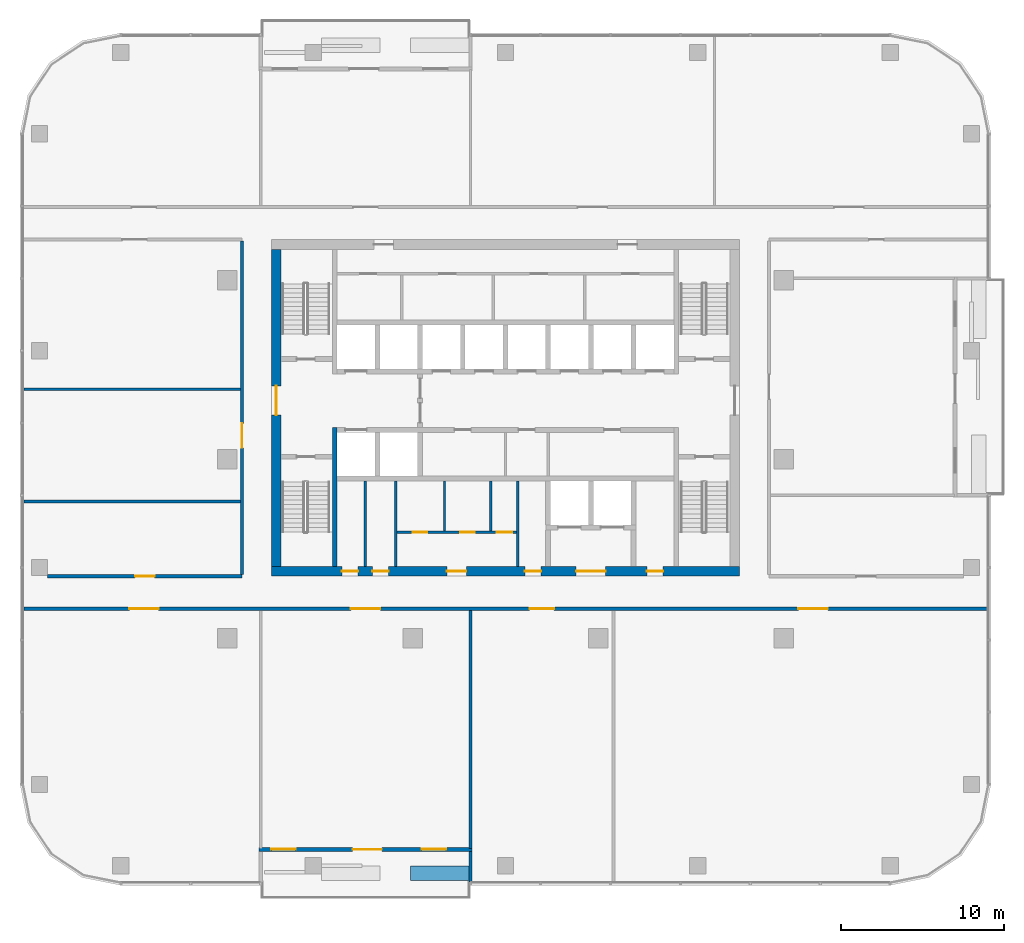
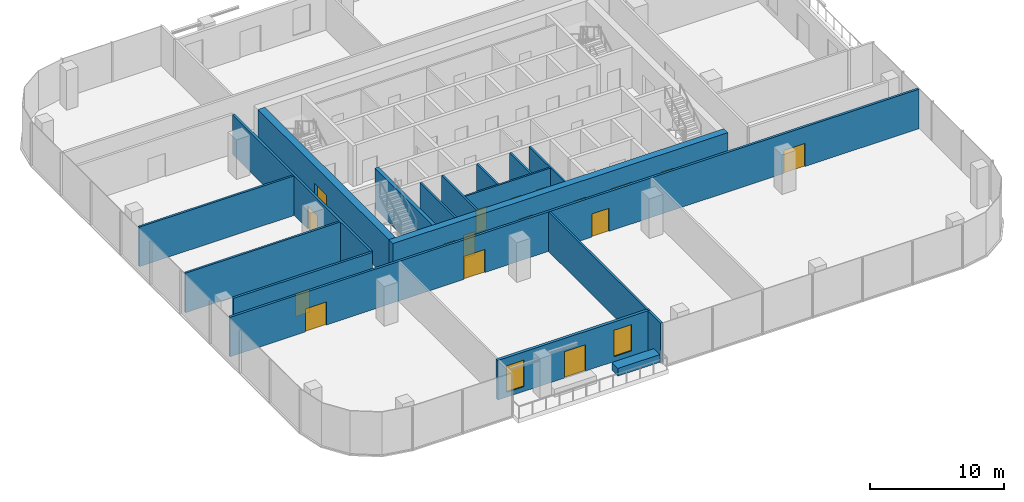
# One storey, part 7 of 13: 18 walls, 17 doors, 2 windows, 19 openings.
"""IFC4 building model written with IfcOpenShell, lengths in metres."""

from ifc_helpers import new_model, si_unit, direction, frame, frame_2d, origin, place, context, subcontext, project, spatial, rectangle, extrude, material, layer, layer_set, type_object, element, fill, save


model = new_model("IFC4")

# Units and contexts
model_context = context("Model", 3, precision=1e-05, world=origin(), true_north=direction((0.0, 1.0)))
body_context = subcontext(model_context, "Body", "Model", "MODEL_VIEW")
ifc_project = project(units=[si_unit("LENGTHUNIT", "METRE"), si_unit("AREAUNIT", "SQUARE_METRE"), si_unit("VOLUMEUNIT", "CUBIC_METRE"), si_unit("PLANEANGLEUNIT", "RADIAN"), si_unit("MASSUNIT", "GRAM", prefix="KILO")], contexts=[model_context])

# Site, building, storey
site_placement = place(None, origin())
site = spatial("IfcSite", under=ifc_project, at=site_placement, CompositionType="ELEMENT")
building_placement = place(site_placement, origin())
building = spatial("IfcBuilding", under=site, at=building_placement, Name="Mopane Tessera Tower", CompositionType="ELEMENT")
storey_placement = place(building_placement, frame((0.0, 0.0, 307.39990234375)))
storey = spatial("IfcBuildingStorey", under=building, at=storey_placement, Name="L67", CompositionType="ELEMENT", Elevation=307.39990234375)

# Walls
ifc_material_1 = material(Name="Fire-rated gypsum board partition")
ifc_layer_1 = layer(ifc_material_1, 0.14990234375)
ifc_layer_set_1 = layer_set([ifc_layer_1], Name="Fire-rated gypsum board partition")
wall_type_1 = type_object("IfcWallType", Name="Core room partition 150 mm", PredefinedType="PARTITIONING", material=ifc_layer_set_1)
for number, where, z_axis, x_axis, name in (
    (1, (-8.625, -6.60009765625, 0.0), (0.0, 0.0, 1.0), (0.0, 1.0, 0.0), "L67 Room partition"),
    (2, (-6.75, -6.60009765625, 0.0), (0.0, 0.0, 1.0), (0.0, 1.0, 0.0), "L67 Room partition"),
):
    element("IfcWall", number, at=place(storey_placement, frame(where, z_axis=z_axis, x_axis=x_axis)), inside=storey, type_object=wall_type_1, Name=name, PredefinedType="PARTITIONING", context=body_context, shape_type="SweptSolid", body=[
        extrude(rectangle(XDim=5.25, YDim=0.14990234375, at=frame_2d((2.625, 0.0))), origin(), (0.0, 0.0, 1.0), 3.7001953125),
    ])

# Wall, openings, doors
wall_1_placement = place(storey_placement, frame((-6.675048828125, -4.5, 0.0), z_axis=(0.0, 0.0, 1.0), x_axis=(1.0, 0.0, 0.0)))
wall_1 = element("IfcWall", 3, at=wall_1_placement, inside=storey, type_object=wall_type_1, Name="L67 WC partition", PredefinedType="PARTITIONING", context=body_context, shape_type="SweptSolid", body=[
    extrude(rectangle(XDim=7.35009765625, YDim=0.14990234375, at=frame_2d((3.675048828125, 0.0))), origin(), (0.0, 0.0, 1.0), 3.7001953125),
])
opening_1_placement = place(wall_1_placement, frame((0.97509765625, 0.0, 0.0)))
opening_1 = element("IfcOpeningElement", 4, at=opening_1_placement, cuts=wall_1, Name="Opening WD1", PredefinedType="OPENING", context=body_context, shape_type="SweptSolid", body=[
    extrude(rectangle(XDim=0.89990234375, YDim=2.10009765625, at=frame_2d((0.449951171875, 1.050048828125))), frame((0.0, 0.0869140625, 0.0), z_axis=(0.0, -1.0, 0.0), x_axis=(1.0, 0.0, 0.0)), (0.0, 0.0, 1.0), 0.173828125),
])
opening_2_placement = place(wall_1_placement, frame((3.89990234375, 0.0, 0.0)))
opening_2 = element("IfcOpeningElement", 5, at=opening_2_placement, cuts=wall_1, Name="Opening WD1", PredefinedType="OPENING", context=body_context, shape_type="SweptSolid", body=[
    extrude(rectangle(XDim=0.89990234375, YDim=2.10009765625, at=frame_2d((0.449951171875, 1.050048828125))), frame((0.0, 0.0869140625, 0.0), z_axis=(0.0, -1.0, 0.0), x_axis=(1.0, 0.0, 0.0)), (0.0, 0.0, 1.0), 0.173828125),
])
opening_3_placement = place(wall_1_placement, frame((6.125, 0.0, 0.0)))
opening_3 = element("IfcOpeningElement", 6, at=opening_3_placement, cuts=wall_1, Name="Opening WD2", PredefinedType="OPENING", context=body_context, shape_type="SweptSolid", body=[
    extrude(rectangle(XDim=0.949951171875, YDim=2.10009765625, at=frame_2d((0.47509765625, 1.050048828125))), frame((0.0, 0.0869140625, 0.0), z_axis=(0.0, -1.0, 0.0), x_axis=(1.0, 0.0, 0.0)), (0.0, 0.0, 1.0), 0.173828125),
])
ifc_material_2 = material(Name="Timber door", Category="wood")
door_type_1 = type_object("IfcDoorType", Name="Accessible WC door 950 x 2100", OperationType="SINGLE_SWING_LEFT", PredefinedType="DOOR", material=ifc_material_2)
door_1_placement = place(opening_3_placement, origin())
door_1 = element("IfcDoor", 7, at=door_1_placement, inside=storey, type_object=door_type_1, Name="L67 Accessible WC door", OperationType="SINGLE_SWING_LEFT", OverallHeight=2.10009765625, OverallWidth=0.949951171875, PredefinedType="DOOR", context=body_context, shape_type="SweptSolid", body=[
    extrude(rectangle(XDim=0.949951171875, YDim=2.10009765625, at=frame_2d((0.47509765625, 1.050048828125))), frame((0.0, 0.02490234375, 0.0), z_axis=(0.0, -1.0, 0.0), x_axis=(1.0, 0.0, 0.0)), (0.0, 0.0, 1.0), 0.050048828125),
])
fill(opening_3, door_1)
ifc_material_3 = material(Name="Timber door", Category="wood")
door_type_2 = type_object("IfcDoorType", Name="WC cubicle door 900 x 2100", OperationType="SINGLE_SWING_LEFT", PredefinedType="DOOR", material=ifc_material_3)
door_2_placement = place(opening_1_placement, origin())
door_2 = element("IfcDoor", 8, at=door_2_placement, inside=storey, type_object=door_type_2, Name="L67 Men's WC door", OperationType="SINGLE_SWING_LEFT", OverallHeight=2.10009765625, OverallWidth=0.89990234375, PredefinedType="DOOR", context=body_context, shape_type="SweptSolid", body=[
    extrude(rectangle(XDim=0.89990234375, YDim=2.10009765625, at=frame_2d((0.449951171875, 1.050048828125))), frame((0.0, 0.02490234375, 0.0), z_axis=(0.0, -1.0, 0.0), x_axis=(1.0, 0.0, 0.0)), (0.0, 0.0, 1.0), 0.050048828125),
])
fill(opening_1, door_2)
door_3_placement = place(opening_2_placement, origin())
door_3 = element("IfcDoor", 9, at=door_3_placement, inside=storey, type_object=door_type_2, Name="L67 Women's WC door", OperationType="SINGLE_SWING_LEFT", OverallHeight=2.10009765625, OverallWidth=0.89990234375, PredefinedType="DOOR", context=body_context, shape_type="SweptSolid", body=[
    extrude(rectangle(XDim=0.89990234375, YDim=2.10009765625, at=frame_2d((0.449951171875, 1.050048828125))), frame((0.0, 0.02490234375, 0.0), z_axis=(0.0, -1.0, 0.0), x_axis=(1.0, 0.0, 0.0)), (0.0, 0.0, 1.0), 0.050048828125),
])
fill(opening_2, door_3)

# Walls
for number, where, z_axis, x_axis, name in (
    (10, (-3.75, -4.425048828125, 0.0), (0.0, 0.0, 1.0), (0.0, 1.0, 0.0), "L67 WC partition"),
    (11, (-0.89990234375, -4.425048828125, 0.0), (0.0, 0.0, 1.0), (0.0, 1.0, 0.0), "L67 WC partition"),
):
    element("IfcWall", number, at=place(storey_placement, frame(where, z_axis=z_axis, x_axis=x_axis)), inside=storey, type_object=wall_type_1, Name=name, PredefinedType="PARTITIONING", context=body_context, shape_type="SweptSolid", body=[
        extrude(rectangle(XDim=3.074951171875, YDim=0.14990234375, at=frame_2d((1.53759765625, 0.0))), origin(), (0.0, 0.0, 1.0), 3.7001953125),
    ])
wall_2_placement = place(storey_placement, frame((0.75, -6.60009765625, 0.0), z_axis=(0.0, 0.0, 1.0), x_axis=(0.0, 1.0, 0.0)))
element("IfcWall", 12, at=wall_2_placement, inside=storey, type_object=wall_type_1, Name="L67 Room partition", PredefinedType="PARTITIONING", context=body_context, shape_type="SweptSolid", body=[
    extrude(rectangle(XDim=5.25, YDim=0.14990234375, at=frame_2d((2.625, 0.0))), origin(), (0.0, 0.0, 1.0), 3.7001953125),
])

# Wall, openings, doors
ifc_material_4 = material(Name="Concrete C70/85", Category="concrete")
ifc_layer_2 = layer(ifc_material_4, 0.60009765625)
ifc_layer_set_2 = layer_set([ifc_layer_2], Name="Concrete C70/85")
wall_type_2 = type_object("IfcWallType", Name="Core shear wall 600 mm", PredefinedType="SHEAR", material=ifc_layer_set_2)
wall_3_placement = place(storey_placement, frame((-14.39990234375, -6.89990234375, 0.0), z_axis=(0.0, 0.0, 1.0), x_axis=(1.0, 0.0, 0.0)))
wall_3 = element("IfcWall", 13, at=wall_3_placement, inside=storey, type_object=wall_type_2, Name="L67 Core wall south", PredefinedType="SHEAR", context=body_context, shape_type="SweptSolid", body=[
    extrude(rectangle(XDim=28.7998046875, YDim=0.60009765625, at=frame_2d((14.39990234375, 0.0))), origin(), (0.0, 0.0, 1.0), 3.7001953125),
])
opening_4_placement = place(wall_3_placement, frame((4.33740234375, 0.0, 0.0)))
opening_4 = element("IfcOpeningElement", 14, at=opening_4_placement, cuts=wall_3, Name="Opening RD1", PredefinedType="OPENING", context=body_context, shape_type="SweptSolid", body=[
    extrude(rectangle(XDim=1.0, YDim=2.10009765625, at=frame_2d((0.5, 1.050048828125))), frame((0.0, 0.31201171875, 0.0), z_axis=(0.0, -1.0, 0.0), x_axis=(1.0, 0.0, 0.0)), (0.0, 0.0, 1.0), 0.6240234375),
])
opening_5_placement = place(wall_3_placement, frame((6.21240234375, 0.0, 0.0)))
opening_5 = element("IfcOpeningElement", 15, at=opening_5_placement, cuts=wall_3, Name="Opening RD1", PredefinedType="OPENING", context=body_context, shape_type="SweptSolid", body=[
    extrude(rectangle(XDim=1.0, YDim=2.10009765625, at=frame_2d((0.5, 1.050048828125))), frame((0.0, 0.31201171875, 0.0), z_axis=(0.0, -1.0, 0.0), x_axis=(1.0, 0.0, 0.0)), (0.0, 0.0, 1.0), 0.6240234375),
])
opening_6_placement = place(wall_3_placement, frame((10.800048828125, 0.0, 0.0)))
opening_6 = element("IfcOpeningElement", 16, at=opening_6_placement, cuts=wall_3, Name="Opening WD3", PredefinedType="OPENING", context=body_context, shape_type="SweptSolid", body=[
    extrude(rectangle(XDim=1.199951171875, YDim=2.10009765625, at=frame_2d((0.60009765625, 1.050048828125))), frame((0.0, 0.31201171875, 0.0), z_axis=(0.0, -1.0, 0.0), x_axis=(1.0, 0.0, 0.0)), (0.0, 0.0, 1.0), 0.6240234375),
])
opening_7_placement = place(wall_3_placement, frame((15.58740234375, 0.0, 0.0)))
opening_7 = element("IfcOpeningElement", 17, at=opening_7_placement, cuts=wall_3, Name="Opening RD1", PredefinedType="OPENING", context=body_context, shape_type="SweptSolid", body=[
    extrude(rectangle(XDim=1.0, YDim=2.10009765625, at=frame_2d((0.5, 1.050048828125))), frame((0.0, 0.31201171875, 0.0), z_axis=(0.0, -1.0, 0.0), x_axis=(1.0, 0.0, 0.0)), (0.0, 0.0, 1.0), 0.6240234375),
])
opening_8_placement = place(wall_3_placement, frame((18.75, 0.0, 0.0)))
opening_8 = element("IfcOpeningElement", 18, at=opening_8_placement, cuts=wall_3, Name="Opening SD2", PredefinedType="OPENING", context=body_context, shape_type="SweptSolid", body=[
    extrude(rectangle(XDim=1.800048828125, YDim=2.10009765625, at=frame_2d((0.89990234375, 1.050048828125))), frame((0.0, 0.31201171875, 0.0), z_axis=(0.0, -1.0, 0.0), x_axis=(1.0, 0.0, 0.0)), (0.0, 0.0, 1.0), 0.6240234375),
])
opening_9_placement = place(wall_3_placement, frame((23.08740234375, 0.0, 0.0)))
opening_9 = element("IfcOpeningElement", 19, at=opening_9_placement, cuts=wall_3, Name="Opening RD1", PredefinedType="OPENING", context=body_context, shape_type="SweptSolid", body=[
    extrude(rectangle(XDim=1.0, YDim=2.10009765625, at=frame_2d((0.5, 1.050048828125))), frame((0.0, 0.31201171875, 0.0), z_axis=(0.0, -1.0, 0.0), x_axis=(1.0, 0.0, 0.0)), (0.0, 0.0, 1.0), 0.6240234375),
])
ifc_material_5 = material(Name="Steel fire door", Category="steel")
door_type_3 = type_object("IfcDoorType", Name="Core entrance double door 1800 x 2100", OperationType="DOUBLE_DOOR_SINGLE_SWING", PredefinedType="DOOR", material=ifc_material_5)
door_4_placement = place(opening_8_placement, origin())
door_4 = element("IfcDoor", 20, at=door_4_placement, inside=storey, type_object=door_type_3, Name="L67 Service lobby door", OperationType="DOUBLE_DOOR_SINGLE_SWING", OverallHeight=2.10009765625, OverallWidth=1.800048828125, PredefinedType="DOOR", context=body_context, shape_type="SweptSolid", body=[
    extrude(rectangle(XDim=1.800048828125, YDim=2.10009765625, at=frame_2d((0.89990234375, 1.050048828125))), frame((0.0, 0.02490234375, 0.0), z_axis=(0.0, -1.0, 0.0), x_axis=(1.0, 0.0, 0.0)), (0.0, 0.0, 1.0), 0.050048828125),
])
fill(opening_8, door_4)
ifc_material_6 = material(Name="Timber door", Category="wood")
door_type_4 = type_object("IfcDoorType", Name="Core room door 1000 x 2100", OperationType="SINGLE_SWING_LEFT", PredefinedType="DOOR", material=ifc_material_6)
door_5_placement = place(opening_4_placement, origin())
door_5 = element("IfcDoor", 21, at=door_5_placement, inside=storey, type_object=door_type_4, Name="L67 Room door", OperationType="SINGLE_SWING_LEFT", OverallHeight=2.10009765625, OverallWidth=1.0, PredefinedType="DOOR", context=body_context, shape_type="SweptSolid", body=[
    extrude(rectangle(XDim=1.0, YDim=2.10009765625, at=frame_2d((0.5, 1.050048828125))), frame((0.0, 0.02490234375, 0.0), z_axis=(0.0, -1.0, 0.0), x_axis=(1.0, 0.0, 0.0)), (0.0, 0.0, 1.0), 0.050048828125),
])
fill(opening_4, door_5)
door_6_placement = place(opening_5_placement, origin())
door_6 = element("IfcDoor", 22, at=door_6_placement, inside=storey, type_object=door_type_4, Name="L67 Room door", OperationType="SINGLE_SWING_LEFT", OverallHeight=2.10009765625, OverallWidth=1.0, PredefinedType="DOOR", context=body_context, shape_type="SweptSolid", body=[
    extrude(rectangle(XDim=1.0, YDim=2.10009765625, at=frame_2d((0.5, 1.050048828125))), frame((0.0, 0.02490234375, 0.0), z_axis=(0.0, -1.0, 0.0), x_axis=(1.0, 0.0, 0.0)), (0.0, 0.0, 1.0), 0.050048828125),
])
fill(opening_5, door_6)
door_7_placement = place(opening_7_placement, origin())
door_7 = element("IfcDoor", 23, at=door_7_placement, inside=storey, type_object=door_type_4, Name="L67 Room door", OperationType="SINGLE_SWING_LEFT", OverallHeight=2.10009765625, OverallWidth=1.0, PredefinedType="DOOR", context=body_context, shape_type="SweptSolid", body=[
    extrude(rectangle(XDim=1.0, YDim=2.10009765625, at=frame_2d((0.5, 1.050048828125))), frame((0.0, 0.02490234375, 0.0), z_axis=(0.0, -1.0, 0.0), x_axis=(1.0, 0.0, 0.0)), (0.0, 0.0, 1.0), 0.050048828125),
])
fill(opening_7, door_7)
door_8_placement = place(opening_9_placement, origin())
door_8 = element("IfcDoor", 24, at=door_8_placement, inside=storey, type_object=door_type_4, Name="L67 Room door", OperationType="SINGLE_SWING_LEFT", OverallHeight=2.10009765625, OverallWidth=1.0, PredefinedType="DOOR", context=body_context, shape_type="SweptSolid", body=[
    extrude(rectangle(XDim=1.0, YDim=2.10009765625, at=frame_2d((0.5, 1.050048828125))), frame((0.0, 0.02490234375, 0.0), z_axis=(0.0, -1.0, 0.0), x_axis=(1.0, 0.0, 0.0)), (0.0, 0.0, 1.0), 0.050048828125),
])
fill(opening_9, door_8)
ifc_material_7 = material(Name="Timber door", Category="wood")
door_type_5 = type_object("IfcDoorType", Name="WC lobby door 1200 x 2100", OperationType="SINGLE_SWING_LEFT", PredefinedType="DOOR", material=ifc_material_7)
door_9_placement = place(opening_6_placement, origin())
door_9 = element("IfcDoor", 25, at=door_9_placement, inside=storey, type_object=door_type_5, Name="L67 WC lobby door", OperationType="SINGLE_SWING_LEFT", OverallHeight=2.10009765625, OverallWidth=1.199951171875, PredefinedType="DOOR", context=body_context, shape_type="SweptSolid", body=[
    extrude(rectangle(XDim=1.199951171875, YDim=2.10009765625, at=frame_2d((0.60009765625, 1.050048828125))), frame((0.0, 0.02490234375, 0.0), z_axis=(0.0, -1.0, 0.0), x_axis=(1.0, 0.0, 0.0)), (0.0, 0.0, 1.0), 0.050048828125),
])
fill(opening_6, door_9)

# Wall, opening, door
wall_4_placement = place(storey_placement, frame((-14.10009765625, -6.60009765625, 0.0), z_axis=(0.0, 0.0, 1.0), x_axis=(0.0, 1.0, 0.0)))
wall_4 = element("IfcWall", 26, at=wall_4_placement, inside=storey, type_object=wall_type_2, Name="L67 Core wall west", PredefinedType="SHEAR", context=body_context, shape_type="SweptSolid", body=[
    extrude(rectangle(XDim=19.5, YDim=0.60009765625, at=frame_2d((9.75, 0.0))), origin(), (0.0, 0.0, 1.0), 3.7001953125),
])
opening_10_placement = place(wall_4_placement, frame((9.300048828125, 0.0, 0.0)))
opening_10 = element("IfcOpeningElement", 27, at=opening_10_placement, cuts=wall_4, Name="Opening SD2", PredefinedType="OPENING", context=body_context, shape_type="SweptSolid", body=[
    extrude(rectangle(XDim=1.800048828125, YDim=2.10009765625, at=frame_2d((0.89990234375, 1.050048828125))), frame((0.0, 0.31201171875, 0.0), z_axis=(0.0, -1.0, 0.0), x_axis=(1.0, 0.0, 0.0)), (0.0, 0.0, 1.0), 0.6240234375),
])
door_10_placement = place(opening_10_placement, origin())
door_10 = element("IfcDoor", 28, at=door_10_placement, inside=storey, type_object=door_type_3, Name="L67 Core entrance door west", OperationType="DOUBLE_DOOR_SINGLE_SWING", OverallHeight=2.10009765625, OverallWidth=1.800048828125, PredefinedType="DOOR", context=body_context, shape_type="SweptSolid", body=[
    extrude(rectangle(XDim=1.800048828125, YDim=2.10009765625, at=frame_2d((0.89990234375, 1.050048828125))), frame((0.0, 0.02490234375, 0.0), z_axis=(0.0, -1.0, 0.0), x_axis=(1.0, 0.0, 0.0)), (0.0, 0.0, 1.0), 0.050048828125),
])
fill(opening_10, door_10)

# Walls
ifc_material_8 = material(Name="Concrete C60/75", Category="concrete")
ifc_layer_3 = layer(ifc_material_8, 0.300048828125)
ifc_layer_set_3 = layer_set([ifc_layer_3], Name="Concrete C60/75")
wall_type_3 = type_object("IfcWallType", Name="Core spine wall 300 mm", PredefinedType="SHEAR", material=ifc_layer_set_3)
wall_5_placement = place(storey_placement, frame((-10.5, -6.60009765625, 0.0), z_axis=(0.0, 0.0, 1.0), x_axis=(0.0, 1.0, 0.0)))
element("IfcWall", 29, at=wall_5_placement, inside=storey, type_object=wall_type_3, Name="L67 Core spine wall", PredefinedType="SHEAR", context=body_context, shape_type="SweptSolid", body=[
    extrude(rectangle(XDim=8.550048828125, YDim=0.300048828125, at=frame_2d((4.27490234375, 0.0))), origin(), (0.0, 0.0, 1.0), 3.7001953125),
])
ifc_material_9 = material(Name="Gypsum board on staggered steel studs, double layer each face, acoustic mineral wool infill", Category="steel")
ifc_layer_4 = layer(ifc_material_9, 0.175048828125)
ifc_layer_set_4 = layer_set([ifc_layer_4], Name="Gypsum board on staggered steel studs, double layer each face, acoustic mineral wool infill")
wall_type_4 = type_object("IfcWallType", Name="Gypsum board acoustic partition 175, rated EI 60", PredefinedType="PARTITIONING", material=ifc_layer_set_4)
for number, where, z_axis, x_axis, name in (
    (30, (-29.60009765625, -2.60009765625, 0.0), (0.0, 0.0, 1.0), (1.0, 0.0, 0.0), "Partition L67:003"),
    (31, (-29.60009765625, 4.300048828125, 0.0), (0.0, 0.0, 1.0), (1.0, 0.0, 0.0), "Partition L67:005"),
):
    element("IfcWall", number, at=place(storey_placement, frame(where, z_axis=z_axis, x_axis=x_axis)), inside=storey, type_object=wall_type_4, Name=name, PredefinedType="PARTITIONING", context=body_context, shape_type="SweptSolid", body=[
        extrude(rectangle(XDim=13.300048828125, YDim=0.175048828125, at=frame_2d((6.64990234375, 0.0))), origin(), (0.0, 0.0, 1.0), 3.60009765625),
    ])
wall_6_placement = place(storey_placement, frame((-2.14990234375, -23.949951171875, 0.0), z_axis=(0.0, 0.0, 1.0), x_axis=(0.0, 1.0, 0.0)))
element("IfcWall", 32, at=wall_6_placement, inside=storey, type_object=wall_type_4, Name="Partition L67:014", PredefinedType="PARTITIONING", context=body_context, shape_type="SweptSolid", body=[
    extrude(rectangle(XDim=14.64990234375, YDim=0.175048828125, at=frame_2d((7.324951171875, 0.0))), origin(), (0.0, 0.0, 1.0), 3.60009765625),
])

# Wall, openings, doors
ifc_material_10 = material(Name="Gypsum board on steel studs, two layers each face, mineral wool infill", Category="steel")
ifc_layer_5 = layer(ifc_material_10, 0.199951171875)
ifc_layer_set_5 = layer_set([ifc_layer_5], Name="Gypsum board on steel studs, two layers each face, mineral wool infill")
wall_type_5 = type_object("IfcWallType", Name="Gypsum board corridor wall 200, rated EI 60", PredefinedType="PARTITIONING", material=ifc_layer_set_5)
wall_7_placement = place(storey_placement, frame((-29.60009765625, -9.199951171875, 0.0), z_axis=(0.0, 0.0, 1.0), x_axis=(1.0, 0.0, 0.0)))
wall_7 = element("IfcWall", 33, at=wall_7_placement, inside=storey, type_object=wall_type_5, Name="Partition L67:000", PredefinedType="PARTITIONING", context=body_context, shape_type="SweptSolid", body=[
    extrude(rectangle(XDim=59.2001953125, YDim=0.199951171875, at=frame_2d((29.60009765625, 0.0))), origin(), (0.0, 0.0, 1.0), 3.60009765625),
])
opening_11_placement = place(wall_7_placement, frame((47.614990234375, 0.0, 0.0)))
opening_11 = element("IfcOpeningElement", 34, at=opening_11_placement, cuts=wall_7, Name="Opening L67-02", PredefinedType="OPENING", context=body_context, shape_type="SweptSolid", body=[
    extrude(rectangle(XDim=1.800048828125, YDim=2.10009765625, at=frame_2d((0.89990234375, 1.050048828125))), frame((0.0, 0.112060546875, 0.0), z_axis=(0.0, -1.0, 0.0), x_axis=(1.0, 0.0, 0.0)), (0.0, 0.0, 1.0), 0.223876953125),
])
opening_12_placement = place(wall_7_placement, frame((20.10009765625, 0.0, 0.0)))
opening_12 = element("IfcOpeningElement", 35, at=opening_12_placement, cuts=wall_7, Name="Opening L67-03", PredefinedType="OPENING", context=body_context, shape_type="SweptSolid", body=[
    extrude(rectangle(XDim=1.800048828125, YDim=2.10009765625, at=frame_2d((0.89990234375, 1.050048828125))), frame((0.0, 0.112060546875, 0.0), z_axis=(0.0, -1.0, 0.0), x_axis=(1.0, 0.0, 0.0)), (0.0, 0.0, 1.0), 0.223876953125),
])
opening_13_placement = place(wall_7_placement, frame((6.47509765625, 0.0, 0.0)))
opening_13 = element("IfcOpeningElement", 36, at=opening_13_placement, cuts=wall_7, Name="Opening L67-09", PredefinedType="OPENING", context=body_context, shape_type="SweptSolid", body=[
    extrude(rectangle(XDim=1.800048828125, YDim=2.10009765625, at=frame_2d((0.89990234375, 1.050048828125))), frame((0.0, 0.112060546875, 0.0), z_axis=(0.0, -1.0, 0.0), x_axis=(1.0, 0.0, 0.0)), (0.0, 0.0, 1.0), 0.223876953125),
])
opening_14_placement = place(wall_7_placement, frame((31.090087890625, 0.0, 0.0)))
opening_14 = element("IfcOpeningElement", 37, at=opening_14_placement, cuts=wall_7, Name="Opening L67-13", PredefinedType="OPENING", context=body_context, shape_type="SweptSolid", body=[
    extrude(rectangle(XDim=1.5, YDim=2.10009765625, at=frame_2d((0.75, 1.050048828125))), frame((0.0, 0.112060546875, 0.0), z_axis=(0.0, -1.0, 0.0), x_axis=(1.0, 0.0, 0.0)), (0.0, 0.0, 1.0), 0.223876953125),
])
ifc_material_11 = material(Name="Timber veneered steel-framed fire door", Category="steel")
door_type_6 = type_object("IfcDoorType", Name="Fire door pair FD60 1500 x 2100", OperationType="DOUBLE_DOOR_SINGLE_SWING", PredefinedType="DOOR", material=ifc_material_11)
door_11_placement = place(opening_14_placement, origin())
door_11 = element("IfcDoor", 38, at=door_11_placement, inside=storey, type_object=door_type_6, Name="Door L67-13", ObjectType="D17A", OperationType="DOUBLE_DOOR_SINGLE_SWING", OverallHeight=2.10009765625, OverallWidth=1.5, PredefinedType="DOOR", context=body_context, shape_type="SweptSolid", body=[
    extrude(rectangle(XDim=1.5, YDim=2.10009765625, at=frame_2d((0.75, 1.050048828125))), frame((0.0, 0.02490234375, 0.0), z_axis=(0.0, -1.0, 0.0), x_axis=(1.0, 0.0, 0.0)), (0.0, 0.0, 1.0), 0.050048828125),
])
fill(opening_14, door_11)
ifc_material_12 = material(Name="Timber veneered steel-framed fire door", Category="steel")
door_type_7 = type_object("IfcDoorType", Name="Fire door pair FD60 1800 x 2100", OperationType="DOUBLE_DOOR_SINGLE_SWING", PredefinedType="DOOR", material=ifc_material_12)
door_12_placement = place(opening_11_placement, origin())
door_12 = element("IfcDoor", 39, at=door_12_placement, inside=storey, type_object=door_type_7, Name="Door L67-02", ObjectType="D20A", OperationType="DOUBLE_DOOR_SINGLE_SWING", OverallHeight=2.10009765625, OverallWidth=1.800048828125, PredefinedType="DOOR", context=body_context, shape_type="SweptSolid", body=[
    extrude(rectangle(XDim=1.800048828125, YDim=2.10009765625, at=frame_2d((0.89990234375, 1.050048828125))), frame((0.0, 0.02490234375, 0.0), z_axis=(0.0, -1.0, 0.0), x_axis=(1.0, 0.0, 0.0)), (0.0, 0.0, 1.0), 0.050048828125),
])
fill(opening_11, door_12)
door_13_placement = place(opening_12_placement, origin())
door_13 = element("IfcDoor", 40, at=door_13_placement, inside=storey, type_object=door_type_7, Name="Door L67-03", ObjectType="D20A", OperationType="DOUBLE_DOOR_SINGLE_SWING", OverallHeight=2.10009765625, OverallWidth=1.800048828125, PredefinedType="DOOR", context=body_context, shape_type="SweptSolid", body=[
    extrude(rectangle(XDim=1.800048828125, YDim=2.10009765625, at=frame_2d((0.89990234375, 1.050048828125))), frame((0.0, 0.02490234375, 0.0), z_axis=(0.0, -1.0, 0.0), x_axis=(1.0, 0.0, 0.0)), (0.0, 0.0, 1.0), 0.050048828125),
])
fill(opening_12, door_13)
door_14_placement = place(opening_13_placement, origin())
door_14 = element("IfcDoor", 41, at=door_14_placement, inside=storey, type_object=door_type_7, Name="Door L67-09", ObjectType="D20A", OperationType="DOUBLE_DOOR_SINGLE_SWING", OverallHeight=2.10009765625, OverallWidth=1.800048828125, PredefinedType="DOOR", context=body_context, shape_type="SweptSolid", body=[
    extrude(rectangle(XDim=1.800048828125, YDim=2.10009765625, at=frame_2d((0.89990234375, 1.050048828125))), frame((0.0, 0.02490234375, 0.0), z_axis=(0.0, -1.0, 0.0), x_axis=(1.0, 0.0, 0.0)), (0.0, 0.0, 1.0), 0.050048828125),
])
fill(opening_13, door_14)

# Wall, opening, door
wall_8_placement = place(storey_placement, frame((-28.14990234375, -7.199951171875, 0.0), z_axis=(0.0, 0.0, 1.0), x_axis=(1.0, 0.0, 0.0)))
wall_8 = element("IfcWall", 42, at=wall_8_placement, inside=storey, type_object=wall_type_5, Name="Partition L67:001", PredefinedType="PARTITIONING", context=body_context, shape_type="SweptSolid", body=[
    extrude(rectangle(XDim=11.949951171875, YDim=0.199951171875, at=frame_2d((5.97509765625, 0.0))), origin(), (0.0, 0.0, 1.0), 3.60009765625),
])
opening_15_placement = place(wall_8_placement, frame((5.375, 0.0, 0.0)))
opening_15 = element("IfcOpeningElement", 43, at=opening_15_placement, cuts=wall_8, Name="Opening L67-08", PredefinedType="OPENING", context=body_context, shape_type="SweptSolid", body=[
    extrude(rectangle(XDim=1.199951171875, YDim=2.10009765625, at=frame_2d((0.60009765625, 1.050048828125))), frame((0.0, 0.112060546875, 0.0), z_axis=(0.0, -1.0, 0.0), x_axis=(1.0, 0.0, 0.0)), (0.0, 0.0, 1.0), 0.223876953125),
])
ifc_material_13 = material(Name="Timber veneered steel-framed fire door", Category="steel")
door_type_8 = type_object("IfcDoorType", Name="Fire door FD60 1200 x 2100", OperationType="SINGLE_SWING_LEFT", PredefinedType="DOOR", material=ifc_material_13)
door_15_placement = place(opening_15_placement, origin())
door_15 = element("IfcDoor", 44, at=door_15_placement, inside=storey, type_object=door_type_8, Name="Door L67-08", ObjectType="D15A", OperationType="SINGLE_SWING_LEFT", OverallHeight=2.10009765625, OverallWidth=1.199951171875, PredefinedType="DOOR", context=body_context, shape_type="SweptSolid", body=[
    extrude(rectangle(XDim=1.199951171875, YDim=2.10009765625, at=frame_2d((0.60009765625, 1.050048828125))), frame((0.0, 0.02490234375, 0.0), z_axis=(0.0, -1.0, 0.0), x_axis=(1.0, 0.0, 0.0)), (0.0, 0.0, 1.0), 0.050048828125),
])
fill(opening_15, door_15)

wall_9_placement = place(storey_placement, frame((-16.199951171875, -7.10009765625, 0.0), z_axis=(0.0, 0.0, 1.0), x_axis=(0.0, 1.0, 0.0)))
wall_9 = element("IfcWall", 45, at=wall_9_placement, inside=storey, type_object=wall_type_5, Name="Partition L67:010", PredefinedType="PARTITIONING", context=body_context, shape_type="SweptSolid", body=[
    extrude(rectangle(XDim=20.5, YDim=0.199951171875, at=frame_2d((10.25, 0.0))), origin(), (0.0, 0.0, 1.0), 3.60009765625),
])
opening_16_placement = place(wall_9_placement, frame((7.800048828125, 0.0, 0.0)))
opening_16 = element("IfcOpeningElement", 46, at=opening_16_placement, cuts=wall_9, Name="Opening L67-11", PredefinedType="OPENING", context=body_context, shape_type="SweptSolid", body=[
    extrude(rectangle(XDim=1.5, YDim=2.10009765625, at=frame_2d((0.75, 1.050048828125))), frame((0.0, 0.112060546875, 0.0), z_axis=(0.0, -1.0, 0.0), x_axis=(1.0, 0.0, 0.0)), (0.0, 0.0, 1.0), 0.223876953125),
])
door_16_placement = place(opening_16_placement, origin())
door_16 = element("IfcDoor", 47, at=door_16_placement, inside=storey, type_object=door_type_6, Name="Door L67-11", ObjectType="D17A", OperationType="DOUBLE_DOOR_SINGLE_SWING", OverallHeight=2.10009765625, OverallWidth=1.5, PredefinedType="DOOR", context=body_context, shape_type="SweptSolid", body=[
    extrude(rectangle(XDim=1.5, YDim=2.10009765625, at=frame_2d((0.75, 1.050048828125))), frame((0.0, 0.02490234375, 0.0), z_axis=(0.0, -1.0, 0.0), x_axis=(1.0, 0.0, 0.0)), (0.0, 0.0, 1.0), 0.050048828125),
])
fill(opening_16, door_16)

# Walls
ifc_material_14 = material(Name="Reinforced concrete C32/40 with waterproofing", Category="concrete")
ifc_layer_6 = layer(ifc_material_14, 0.89990234375)
ifc_layer_set_6 = layer_set([ifc_layer_6], Name="Reinforced concrete C32/40 with waterproofing")
wall_type_6 = type_object("IfcWallType", Name="Planter trough 3600 x 900", PredefinedType="STANDARD", material=ifc_layer_set_6)
wall_10_placement = place(storey_placement, frame((-5.85009765625, -25.449951171875, 0.0), z_axis=(0.0, 0.0, 1.0), x_axis=(1.0, 0.0, 0.0)))
element("IfcWall", 48, at=wall_10_placement, inside=storey, type_object=wall_type_6, Name="e:nw:L67:N3:pl1", PredefinedType="STANDARD", context=body_context, shape_type="SweptSolid", body=[
    extrude(rectangle(XDim=3.60009765625, YDim=0.89990234375, at=frame_2d((1.800048828125, 0.0))), origin(), (0.0, 0.0, 1.0), 0.7001953125),
])
ifc_material_15 = material(Name="Blockwork with glazed tile facing", Category="masonry")
ifc_layer_7 = layer(ifc_material_15, 0.199951171875)
ifc_layer_set_7 = layer_set([ifc_layer_7], Name="Blockwork with glazed tile facing")
wall_type_7 = type_object("IfcWallType", Name="Terrace cheek wall 200", PredefinedType="STANDARD", material=ifc_layer_set_7)
wall_11_placement = place(storey_placement, frame((-2.14990234375, -26.0, 0.0), z_axis=(0.0, 0.0, 1.0), x_axis=(0.0, 1.0, 0.0)))
element("IfcWall", 49, at=wall_11_placement, inside=storey, type_object=wall_type_7, Name="e:nw:L67:N3:cheekb", PredefinedType="STANDARD", context=body_context, shape_type="SweptSolid", body=[
    extrude(rectangle(XDim=1.875, YDim=0.199951171875, at=frame_2d((0.9375, 0.0))), origin(), (0.0, 0.0, 1.0), 3.60009765625),
])

# Wall, openings, windows, door
ifc_material_16 = material(Name="Blockwork with ultramarine glazed tile facing", Category="masonry")
ifc_layer_8 = layer(ifc_material_16, 0.25)
ifc_layer_set_8 = layer_set([ifc_layer_8], Name="Blockwork with ultramarine glazed tile facing")
wall_type_8 = type_object("IfcWallType", Name="Tile-clad external wall 250, ultramarine", PredefinedType="STANDARD", material=ifc_layer_set_8)
wall_12_placement = place(storey_placement, frame((-15.14990234375, -24.0, 0.0), z_axis=(0.0, 0.0, 1.0), x_axis=(1.0, 0.0, 0.0)))
wall_12 = element("IfcWall", 50, at=wall_12_placement, inside=storey, type_object=wall_type_8, Name="e:nw:L67:N3:back", PredefinedType="STANDARD", context=body_context, shape_type="SweptSolid", body=[
    extrude(rectangle(XDim=13.099853515625, YDim=0.25, at=frame_2d((6.5498046875, 0.0))), origin(), (0.0, 0.0, 1.0), 3.60009765625),
])
opening_17_placement = place(wall_12_placement, frame((0.75, 0.0, 0.449951171875)))
opening_17 = element("IfcOpeningElement", 51, at=opening_17_placement, cuts=wall_12, Name="Opening NW673A", PredefinedType="OPENING", context=body_context, shape_type="SweptSolid", body=[
    extrude(rectangle(XDim=1.5, YDim=2.39990234375, at=frame_2d((0.75, 1.199951171875))), frame((0.0, 0.136962890625, 0.0), z_axis=(0.0, -1.0, 0.0), x_axis=(1.0, 0.0, 0.0)), (0.0, 0.0, 1.0), 0.27392578125),
])
opening_18_placement = place(wall_12_placement, frame((5.75, 0.0, 0.0)))
opening_18 = element("IfcOpeningElement", 52, at=opening_18_placement, cuts=wall_12, Name="Opening ND673", PredefinedType="OPENING", context=body_context, shape_type="SweptSolid", body=[
    extrude(rectangle(XDim=1.800048828125, YDim=2.39990234375, at=frame_2d((0.89990234375, 1.199951171875))), frame((0.0, 0.136962890625, 0.0), z_axis=(0.0, -1.0, 0.0), x_axis=(1.0, 0.0, 0.0)), (0.0, 0.0, 1.0), 0.27392578125),
])
opening_19_placement = place(wall_12_placement, frame((10.0, 0.0, 0.449951171875)))
opening_19 = element("IfcOpeningElement", 53, at=opening_19_placement, cuts=wall_12, Name="Opening NW673B", PredefinedType="OPENING", context=body_context, shape_type="SweptSolid", body=[
    extrude(rectangle(XDim=1.5, YDim=2.39990234375, at=frame_2d((0.75, 1.199951171875))), frame((0.0, 0.136962890625, 0.0), z_axis=(0.0, -1.0, 0.0), x_axis=(1.0, 0.0, 0.0)), (0.0, 0.0, 1.0), 0.27392578125),
])
ifc_material_17 = material(Name="Clear laminated glass", Category="glass")
window_type = type_object("IfcWindowType", Name="Fixed window 1500 x 2400", PartitioningType="SINGLE_PANEL", PredefinedType="WINDOW", material=ifc_material_17)
window_1_placement = place(opening_17_placement, origin())
window_1 = element("IfcWindow", 54, at=window_1_placement, inside=storey, type_object=window_type, Name="e:nw:L67:N3:win0", OverallHeight=2.39990234375, OverallWidth=1.5, PartitioningType="SINGLE_PANEL", PredefinedType="WINDOW", context=body_context, shape_type="SweptSolid", body=[
    extrude(rectangle(XDim=1.5, YDim=2.39990234375, at=frame_2d((0.75, 1.199951171875))), frame((0.0, 0.030029296875, 0.0), z_axis=(0.0, -1.0, 0.0), x_axis=(1.0, 0.0, 0.0)), (0.0, 0.0, 1.0), 0.06005859375),
])
fill(opening_17, window_1)
window_2_placement = place(opening_19_placement, origin())
window_2 = element("IfcWindow", 55, at=window_2_placement, inside=storey, type_object=window_type, Name="e:nw:L67:N3:win2", OverallHeight=2.39990234375, OverallWidth=1.5, PartitioningType="SINGLE_PANEL", PredefinedType="WINDOW", context=body_context, shape_type="SweptSolid", body=[
    extrude(rectangle(XDim=1.5, YDim=2.39990234375, at=frame_2d((0.75, 1.199951171875))), frame((0.0, 0.030029296875, 0.0), z_axis=(0.0, -1.0, 0.0), x_axis=(1.0, 0.0, 0.0)), (0.0, 0.0, 1.0), 0.06005859375),
])
fill(opening_19, window_2)
ifc_material_18 = material(Name="Aluminium and clear glass", Category="aluminium")
door_type_9 = type_object("IfcDoorType", Name="Terrace double door 1800 x 2400", OperationType="DOUBLE_DOOR_SINGLE_SWING", PredefinedType="DOOR", material=ifc_material_18)
door_17_placement = place(opening_18_placement, origin())
door_17 = element("IfcDoor", 56, at=door_17_placement, inside=storey, type_object=door_type_9, Name="e:nw:L67:N3:door", ObjectType="D1", OperationType="DOUBLE_DOOR_SINGLE_SWING", OverallHeight=2.39990234375, OverallWidth=1.800048828125, PredefinedType="DOOR", context=body_context, shape_type="SweptSolid", body=[
    extrude(rectangle(XDim=1.800048828125, YDim=2.39990234375, at=frame_2d((0.89990234375, 1.199951171875))), frame((0.0, 0.02490234375, 0.0), z_axis=(0.0, -1.0, 0.0), x_axis=(1.0, 0.0, 0.0)), (0.0, 0.0, 1.0), 0.050048828125),
])
fill(opening_18, door_17)

save(model, "model.ifc")
